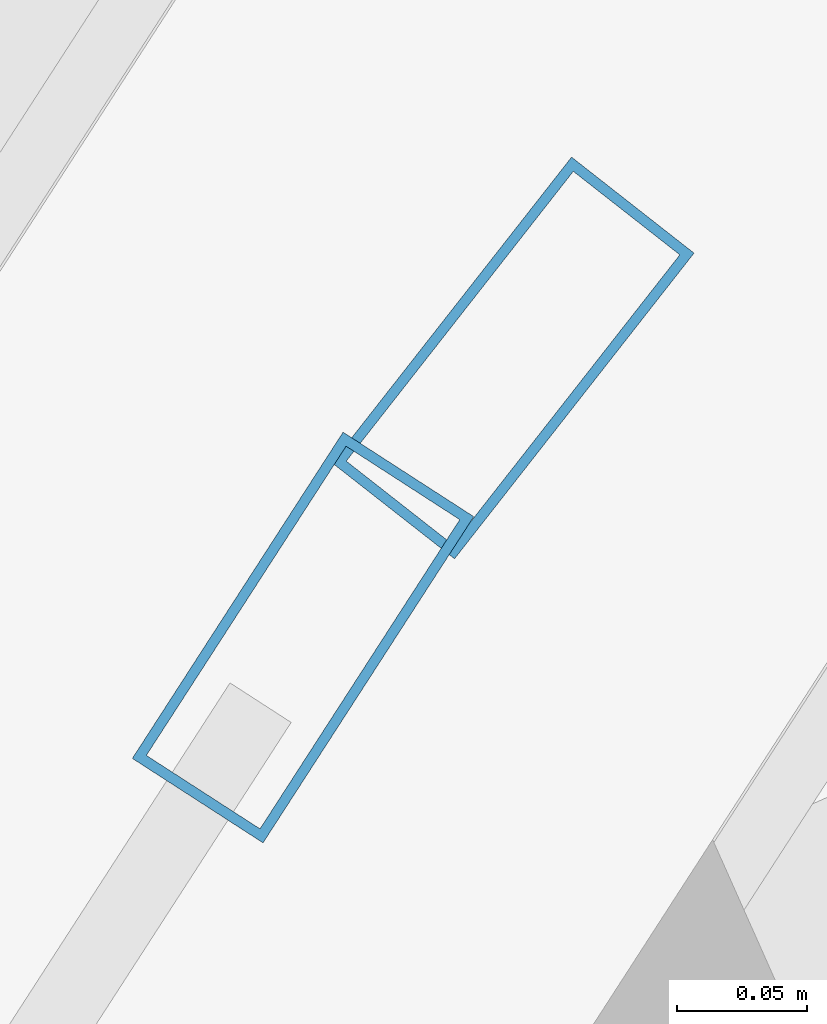
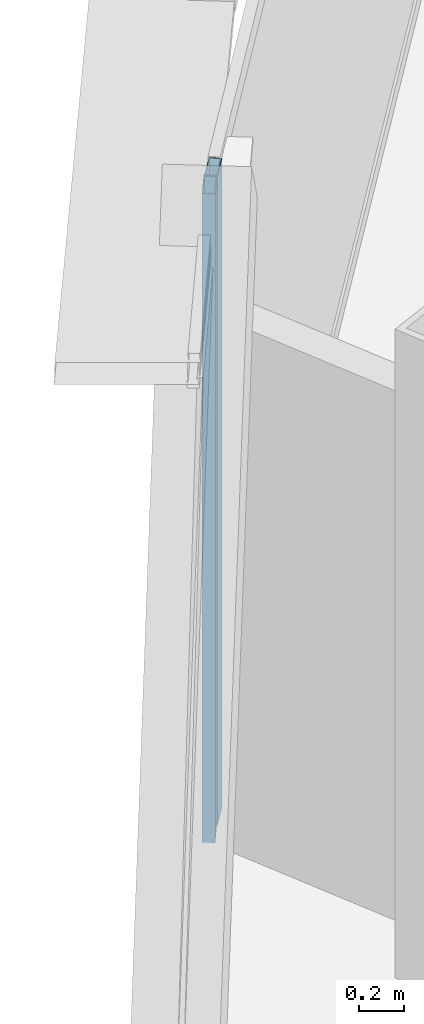
# One storey, part 18 of 38: 2 members, 2 elements without a shape of their own.
"""IFC4 building model written with IfcOpenShell, lengths in metres."""

from ifc_helpers import new_model, si_unit, direction, frame, origin, origin_2d, place, context, subcontext, project, spatial, hollow_rectangle, extrude, source, transform, mapped, material, layer, layer_set, material_profile, profile_set, type_object, element, aggregate, save


model = new_model("IFC4")

# Units and contexts
model_context = context("Model", 3, precision=1e-05, world=origin(), true_north=direction((0.0, 1.0)))
body_context = subcontext(model_context, "Body", "Model", "MODEL_VIEW")
ifc_project = project(units=[si_unit("LENGTHUNIT", "METRE"), si_unit("AREAUNIT", "SQUARE_METRE"), si_unit("VOLUMEUNIT", "CUBIC_METRE"), si_unit("PLANEANGLEUNIT", "RADIAN"), si_unit("MASSUNIT", "GRAM", prefix="KILO"), si_unit("THERMODYNAMICTEMPERATUREUNIT", "KELVIN"), si_unit("POWERUNIT", "WATT")], contexts=[model_context])

# Site, building, storey
site_placement = place(None, origin())
site = spatial("IfcSite", under=ifc_project, at=site_placement, CompositionType="ELEMENT")
building_placement = place(site_placement, origin())
building = spatial("IfcBuilding", under=site, at=building_placement, Name="Yunzhuo Pagoda Commons", CompositionType="ELEMENT")
storey_placement = place(building_placement, frame((0.0, 0.0, 203.760009765625)))
storey = spatial("IfcBuildingStorey", under=building, at=storey_placement, Name="L51", CompositionType="ELEMENT", Elevation=203.760009765625)

# Curtain wall, member
ifc_material = material(Name="Anodized aluminium 6063-T6", Category="aluminium")
ifc_layer = layer(ifc_material, 0.14990234375)
ifc_layer_set = layer_set([ifc_layer], Name="Anodized aluminium 6063-T6")
curtain_wall_type = type_object("IfcCurtainWallType", Name="CW-MID Mid-Zone Ribbon Curtain Wall", PredefinedType="NOTDEFINED", material=ifc_layer_set)
curtain_wall_1_placement = place(storey_placement, origin())
curtain_wall_1 = element("IfcCurtainWall", 1, at=curtain_wall_1_placement, inside=storey, type_object=curtain_wall_type, Name="L51 curtain wall CW-L51-F3B2", PredefinedType="NOTDEFINED")
ifc_material_profile = material_profile(ifc_material, hollow_rectangle(XDim=0.06005859375, YDim=0.14990234375, WallThickness=0.00390625, at=origin_2d()), Name="Anodized aluminium 6063-T6")
ifc_profile_set = profile_set([ifc_material_profile], Name="Anodized aluminium 6063-T6")
member_type = type_object("IfcMemberType", Name="CW-MID-M Mullion RHS 150x60x4", PredefinedType="MULLION", material=ifc_profile_set)
shared_shape = source(origin(), body_context, "Body", "SweptSolid", [
    extrude(hollow_rectangle(XDim=0.06005859375, YDim=0.14990234375, WallThickness=0.00390625, at=origin_2d()), origin(), (0.0, 0.0, 1.0), 3.5400390625),
])
member_1_placement = place(storey_placement, frame((32.552001953125, 68.3349609375, 0.0), z_axis=(0.0, 0.0, 1.0), x_axis=(0.839965077478, -0.542640459805, 0.0)))
member_1 = element("IfcMember", 2, at=member_1_placement, type_object=member_type, Name="CW mullion 1", PredefinedType="MULLION", context=body_context, shape_type="MappedRepresentation", body=[
    mapped(shared_shape, transform((0.0, 0.0, 0.0), scale=1.0)),
])
aggregate(curtain_wall_1, [member_1])

curtain_wall_2_placement = place(storey_placement, origin())
curtain_wall_2 = element("IfcCurtainWall", 3, at=curtain_wall_2_placement, inside=storey, type_object=curtain_wall_type, Name="L51 curtain wall CW-L51-F3B1", PredefinedType="NOTDEFINED")
member_2_placement = place(storey_placement, frame((32.633056640625, 68.44287109375, 0.0), z_axis=(0.0, 0.0, 1.0), x_axis=(0.787150021946, -0.616761577071, 0.0)))
member_2 = element("IfcMember", 4, at=member_2_placement, type_object=member_type, Name="CW mullion 2", PredefinedType="MULLION", context=body_context, shape_type="MappedRepresentation", body=[
    mapped(shared_shape, transform((0.0, 0.0, 0.0), scale=1.0)),
])
aggregate(curtain_wall_2, [member_2])

save(model, "model.ifc")
